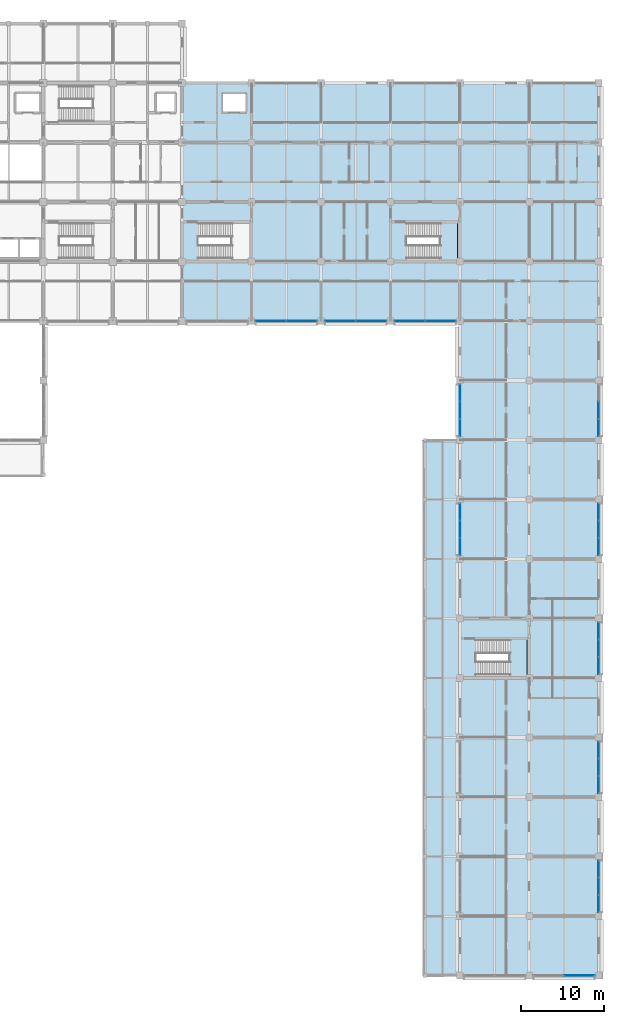
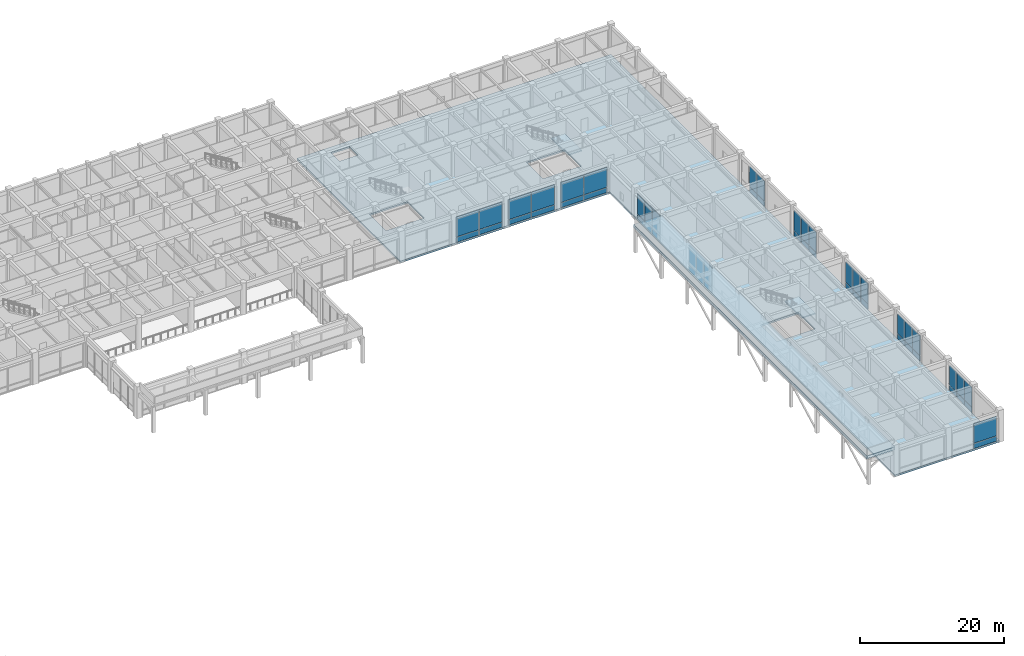
# One storey, part 32 of 68: 54 plates, 4 slabs, 13 elements without a shape of their own.
"""IFC4 building model written with IfcOpenShell, lengths in metres."""

from ifc_helpers import new_model, si_unit, direction, frame, origin, origin_2d, place, context, subcontext, project, spatial, polyline, rectangle, outline, extrude, material, layer, layer_set, type_object, element, aggregate, save


model = new_model("IFC4")

# Units and contexts
model_context = context("Model", 3, precision=1e-05, world=origin(), true_north=direction((0.0, 1.0)))
body_context = subcontext(model_context, "Body", "Model", "MODEL_VIEW")
ifc_project = project(units=[si_unit("LENGTHUNIT", "METRE"), si_unit("AREAUNIT", "SQUARE_METRE"), si_unit("VOLUMEUNIT", "CUBIC_METRE"), si_unit("PLANEANGLEUNIT", "RADIAN"), si_unit("MASSUNIT", "GRAM", prefix="KILO")], contexts=[model_context])

# Site, building, storey
site_placement = place(None, origin())
site = spatial("IfcSite", under=ifc_project, at=site_placement, CompositionType="ELEMENT")
building_placement = place(site_placement, origin())
building = spatial("IfcBuilding", under=site, at=building_placement, Name="Chengyuan Square Courthouse", CompositionType="ELEMENT")
storey_placement = place(building_placement, frame((0.0, 0.0, 5.39990234375)))
storey = spatial("IfcBuildingStorey", under=building, at=storey_placement, Name="L02", CompositionType="ELEMENT", Elevation=5.39990234375)

# Curtain wall, plates
ifc_material_1 = material(Name="Unitised Aluminium and Triple Low-E Glass", Category="aluminium")
ifc_layer_1 = layer(ifc_material_1, 0.219970703125)
ifc_layer_set_1 = layer_set([ifc_layer_1], Name="Unitised Aluminium and Triple Low-E Glass")
curtain_wall_type_1 = type_object("IfcCurtainWallType", Name="CW-04", PredefinedType="USERDEFINED", material=ifc_layer_set_1)
curtain_wall_1_placement = place(storey_placement, origin())
curtain_wall_1 = element("IfcCurtainWall", 1, at=curtain_wall_1_placement, inside=storey, type_object=curtain_wall_type_1, Name="Unitised Curtain Wall CW-L02-072", ObjectType="UNITISED CURTAIN WALL", PredefinedType="USERDEFINED")
ifc_material_2 = material(Name="Triple Low-E Insulating Glass", Category="glass")
ifc_layer_2 = layer(ifc_material_2, 0.052001953125)
ifc_layer_set_2 = layer_set([ifc_layer_2], Name="Triple Low-E Insulating Glass")
plate_type_1 = type_object("IfcPlateType", Name="CWP-04", PredefinedType="CURTAIN_PANEL", material=ifc_layer_set_2)
plate_1_placement = place(storey_placement, frame((128.33251953125, 79.199951171875, 0.080078125), z_axis=(0.0, 0.0, 1.0), x_axis=(1.0, 0.0, 0.0)))
plate_1 = element("IfcPlate", 2, at=plate_1_placement, type_object=plate_type_1, Name="CW-04 panel 1.1", PredefinedType="CURTAIN_PANEL", context=body_context, shape_type="SweptSolid", body=[
    extrude(rectangle(XDim=3.655029296875, YDim=0.052001953125, at=origin_2d()), origin(), (0.0, 0.0, 1.0), 0.830078125),
])
plate_2_placement = place(storey_placement, frame((128.33251953125, 79.199951171875, 0.990234375), z_axis=(0.0, 0.0, 1.0), x_axis=(1.0, 0.0, 0.0)))
plate_2 = element("IfcPlate", 3, at=plate_2_placement, type_object=plate_type_1, Name="CW-04 panel 1.2", PredefinedType="CURTAIN_PANEL", context=body_context, shape_type="SweptSolid", body=[
    extrude(rectangle(XDim=3.655029296875, YDim=0.052001953125, at=origin_2d()), origin(), (0.0, 0.0, 1.0), 3.39990234375),
])
plate_3_placement = place(storey_placement, frame((132.0673828125, 79.199951171875, 0.080078125), z_axis=(0.0, 0.0, 1.0), x_axis=(1.0, 0.0, 0.0)))
plate_3 = element("IfcPlate", 4, at=plate_3_placement, type_object=plate_type_1, Name="CW-04 panel 2.1", PredefinedType="CURTAIN_PANEL", context=body_context, shape_type="SweptSolid", body=[
    extrude(rectangle(XDim=3.655029296875, YDim=0.052001953125, at=origin_2d()), origin(), (0.0, 0.0, 1.0), 0.830078125),
])
plate_4_placement = place(storey_placement, frame((132.0673828125, 79.199951171875, 0.990234375), z_axis=(0.0, 0.0, 1.0), x_axis=(1.0, 0.0, 0.0)))
plate_4 = element("IfcPlate", 5, at=plate_4_placement, type_object=plate_type_1, Name="CW-04 panel 2.2", PredefinedType="CURTAIN_PANEL", context=body_context, shape_type="SweptSolid", body=[
    extrude(rectangle(XDim=3.655029296875, YDim=0.052001953125, at=origin_2d()), origin(), (0.0, 0.0, 1.0), 3.39990234375),
])
aggregate(curtain_wall_1, [plate_1, plate_2, plate_3, plate_4])

curtain_wall_2_placement = place(storey_placement, origin())
curtain_wall_2 = element("IfcCurtainWall", 6, at=curtain_wall_2_placement, inside=storey, type_object=curtain_wall_type_1, Name="Unitised Curtain Wall CW-L02-074", ObjectType="UNITISED CURTAIN WALL", PredefinedType="USERDEFINED")
plate_5_placement = place(storey_placement, frame((136.732421875, 79.199951171875, 0.080078125), z_axis=(0.0, 0.0, 1.0), x_axis=(1.0, 0.0, 0.0)))
plate_5 = element("IfcPlate", 7, at=plate_5_placement, type_object=plate_type_1, Name="CW-04 panel 1.1", PredefinedType="CURTAIN_PANEL", context=body_context, shape_type="SweptSolid", body=[
    extrude(rectangle(XDim=3.655029296875, YDim=0.052001953125, at=origin_2d()), origin(), (0.0, 0.0, 1.0), 0.830078125),
])
plate_6_placement = place(storey_placement, frame((136.732421875, 79.199951171875, 0.990234375), z_axis=(0.0, 0.0, 1.0), x_axis=(1.0, 0.0, 0.0)))
plate_6 = element("IfcPlate", 8, at=plate_6_placement, type_object=plate_type_1, Name="CW-04 panel 1.2", PredefinedType="CURTAIN_PANEL", context=body_context, shape_type="SweptSolid", body=[
    extrude(rectangle(XDim=3.655029296875, YDim=0.052001953125, at=origin_2d()), origin(), (0.0, 0.0, 1.0), 3.39990234375),
])
plate_7_placement = place(storey_placement, frame((140.467529296875, 79.199951171875, 0.080078125), z_axis=(0.0, 0.0, 1.0), x_axis=(1.0, 0.0, 0.0)))
plate_7 = element("IfcPlate", 9, at=plate_7_placement, type_object=plate_type_1, Name="CW-04 panel 2.1", PredefinedType="CURTAIN_PANEL", context=body_context, shape_type="SweptSolid", body=[
    extrude(rectangle(XDim=3.655029296875, YDim=0.052001953125, at=origin_2d()), origin(), (0.0, 0.0, 1.0), 0.830078125),
])
plate_8_placement = place(storey_placement, frame((140.467529296875, 79.199951171875, 0.990234375), z_axis=(0.0, 0.0, 1.0), x_axis=(1.0, 0.0, 0.0)))
plate_8 = element("IfcPlate", 10, at=plate_8_placement, type_object=plate_type_1, Name="CW-04 panel 2.2", PredefinedType="CURTAIN_PANEL", context=body_context, shape_type="SweptSolid", body=[
    extrude(rectangle(XDim=3.655029296875, YDim=0.052001953125, at=origin_2d()), origin(), (0.0, 0.0, 1.0), 3.39990234375),
])
aggregate(curtain_wall_2, [plate_5, plate_6, plate_7, plate_8])

curtain_wall_3_placement = place(storey_placement, origin())
curtain_wall_3 = element("IfcCurtainWall", 11, at=curtain_wall_3_placement, inside=storey, type_object=curtain_wall_type_1, Name="Unitised Curtain Wall CW-L02-075", ObjectType="UNITISED CURTAIN WALL", PredefinedType="USERDEFINED")
plate_9_placement = place(storey_placement, frame((145.132568359375, 79.199951171875, 0.080078125), z_axis=(0.0, 0.0, 1.0), x_axis=(1.0, 0.0, 0.0)))
plate_9 = element("IfcPlate", 12, at=plate_9_placement, type_object=plate_type_1, Name="CW-04 panel 1.1", PredefinedType="CURTAIN_PANEL", context=body_context, shape_type="SweptSolid", body=[
    extrude(rectangle(XDim=3.655029296875, YDim=0.052001953125, at=origin_2d()), origin(), (0.0, 0.0, 1.0), 0.830078125),
])
plate_10_placement = place(storey_placement, frame((145.132568359375, 79.199951171875, 0.990234375), z_axis=(0.0, 0.0, 1.0), x_axis=(1.0, 0.0, 0.0)))
plate_10 = element("IfcPlate", 13, at=plate_10_placement, type_object=plate_type_1, Name="CW-04 panel 1.2", PredefinedType="CURTAIN_PANEL", context=body_context, shape_type="SweptSolid", body=[
    extrude(rectangle(XDim=3.655029296875, YDim=0.052001953125, at=origin_2d()), origin(), (0.0, 0.0, 1.0), 3.39990234375),
])
plate_11_placement = place(storey_placement, frame((148.867431640625, 79.199951171875, 0.080078125), z_axis=(0.0, 0.0, 1.0), x_axis=(1.0, 0.0, 0.0)))
plate_11 = element("IfcPlate", 14, at=plate_11_placement, type_object=plate_type_1, Name="CW-04 panel 2.1", PredefinedType="CURTAIN_PANEL", context=body_context, shape_type="SweptSolid", body=[
    extrude(rectangle(XDim=3.655029296875, YDim=0.052001953125, at=origin_2d()), origin(), (0.0, 0.0, 1.0), 0.830078125),
])
plate_12_placement = place(storey_placement, frame((148.867431640625, 79.199951171875, 0.990234375), z_axis=(0.0, 0.0, 1.0), x_axis=(1.0, 0.0, 0.0)))
plate_12 = element("IfcPlate", 15, at=plate_12_placement, type_object=plate_type_1, Name="CW-04 panel 2.2", PredefinedType="CURTAIN_PANEL", context=body_context, shape_type="SweptSolid", body=[
    extrude(rectangle(XDim=3.655029296875, YDim=0.052001953125, at=origin_2d()), origin(), (0.0, 0.0, 1.0), 3.39990234375),
])
aggregate(curtain_wall_3, [plate_9, plate_10, plate_11, plate_12])

curtain_wall_4_placement = place(storey_placement, origin())
curtain_wall_4 = element("IfcCurtainWall", 16, at=curtain_wall_4_placement, inside=storey, type_object=curtain_wall_type_1, Name="Unitised Curtain Wall CW-L02-082", ObjectType="UNITISED CURTAIN WALL", PredefinedType="USERDEFINED")
plate_13_placement = place(storey_placement, frame((165.66748046875, 0.0, 0.080078125), z_axis=(0.0, 0.0, 1.0), x_axis=(1.0, 0.0, 0.0)))
plate_13 = element("IfcPlate", 17, at=plate_13_placement, type_object=plate_type_1, Name="CW-04 panel 2.1", PredefinedType="CURTAIN_PANEL", context=body_context, shape_type="SweptSolid", body=[
    extrude(rectangle(XDim=3.655029296875, YDim=0.052001953125, at=origin_2d()), origin(), (0.0, 0.0, 1.0), 0.830078125),
])
plate_14_placement = place(storey_placement, frame((165.66748046875, 0.0, 0.989990234375), z_axis=(0.0, 0.0, 1.0), x_axis=(1.0, 0.0, 0.0)))
plate_14 = element("IfcPlate", 18, at=plate_14_placement, type_object=plate_type_1, Name="CW-04 panel 2.2", PredefinedType="CURTAIN_PANEL", context=body_context, shape_type="SweptSolid", body=[
    extrude(rectangle(XDim=3.655029296875, YDim=0.052001953125, at=origin_2d()), origin(), (0.0, 0.0, 1.0), 3.330078125),
])
aggregate(curtain_wall_4, [plate_13, plate_14])

ifc_layer_3 = layer(ifc_material_1, 0.159912109375)
ifc_layer_set_3 = layer_set([ifc_layer_3], Name="Unitised Aluminium and Triple Low-E Glass")
curtain_wall_type_2 = type_object("IfcCurtainWallType", Name="CW-17", PredefinedType="USERDEFINED", material=ifc_layer_set_3)
curtain_wall_5_placement = place(storey_placement, origin())
curtain_wall_5 = element("IfcCurtainWall", 19, at=curtain_wall_5_placement, inside=storey, type_object=curtain_wall_type_2, Name="Unitised Curtain Wall CW-L02-080", ObjectType="UNITISED CURTAIN WALL", PredefinedType="USERDEFINED")
ifc_layer_4 = layer(ifc_material_2, 0.06201171875)
ifc_layer_set_4 = layer_set([ifc_layer_4], Name="Triple Low-E Insulating Glass")
plate_type_2 = type_object("IfcPlateType", Name="CWP-05", PredefinedType="CURTAIN_PANEL", material=ifc_layer_set_4)
plate_15_placement = place(storey_placement, frame((151.199951171875, 51.8984375, 0.06005859375), z_axis=(0.0, 0.0, 1.0), x_axis=(0.0, 1.0, 0.0)))
plate_15 = element("IfcPlate", 20, at=plate_15_placement, type_object=plate_type_2, Name="CW-17 panel 1.1", PredefinedType="CURTAIN_PANEL", context=body_context, shape_type="SweptSolid", body=[
    extrude(rectangle(XDim=2.026611328125, YDim=0.06201171875, at=origin_2d()), origin(), (0.0, 0.0, 1.0), 0.860107421875),
])
plate_16_placement = place(storey_placement, frame((151.199951171875, 51.8984375, 0.97998046875), z_axis=(0.0, 0.0, 1.0), x_axis=(0.0, 1.0, 0.0)))
plate_16 = element("IfcPlate", 21, at=plate_16_placement, type_object=plate_type_2, Name="CW-17 panel 1.2", PredefinedType="CURTAIN_PANEL", context=body_context, shape_type="SweptSolid", body=[
    extrude(rectangle(XDim=2.026611328125, YDim=0.06201171875, at=origin_2d()), origin(), (0.0, 0.0, 1.0), 3.429931640625),
])
plate_17_placement = place(storey_placement, frame((151.199951171875, 54.0, 0.06005859375), z_axis=(0.0, 0.0, 1.0), x_axis=(0.0, 1.0, 0.0)))
plate_17 = element("IfcPlate", 22, at=plate_17_placement, type_object=plate_type_2, Name="CW-17 panel 2.1", PredefinedType="CURTAIN_PANEL", context=body_context, shape_type="SweptSolid", body=[
    extrude(rectangle(XDim=2.056640625, YDim=0.06201171875, at=origin_2d()), origin(), (0.0, 0.0, 1.0), 0.860107421875),
])
plate_18_placement = place(storey_placement, frame((151.199951171875, 54.0, 0.97998046875), z_axis=(0.0, 0.0, 1.0), x_axis=(0.0, 1.0, 0.0)))
plate_18 = element("IfcPlate", 23, at=plate_18_placement, type_object=plate_type_2, Name="CW-17 panel 2.2", PredefinedType="CURTAIN_PANEL", context=body_context, shape_type="SweptSolid", body=[
    extrude(rectangle(XDim=2.056640625, YDim=0.06201171875, at=origin_2d()), origin(), (0.0, 0.0, 1.0), 3.429931640625),
])
plate_19_placement = place(storey_placement, frame((151.199951171875, 56.1015625, 0.06005859375), z_axis=(0.0, 0.0, 1.0), x_axis=(0.0, 1.0, 0.0)))
plate_19 = element("IfcPlate", 24, at=plate_19_placement, type_object=plate_type_2, Name="CW-17 panel 3.1", PredefinedType="CURTAIN_PANEL", context=body_context, shape_type="SweptSolid", body=[
    extrude(rectangle(XDim=2.026611328125, YDim=0.06201171875, at=origin_2d()), origin(), (0.0, 0.0, 1.0), 0.860107421875),
])
plate_20_placement = place(storey_placement, frame((151.199951171875, 56.1015625, 0.97998046875), z_axis=(0.0, 0.0, 1.0), x_axis=(0.0, 1.0, 0.0)))
plate_20 = element("IfcPlate", 25, at=plate_20_placement, type_object=plate_type_2, Name="CW-17 panel 3.2", PredefinedType="CURTAIN_PANEL", context=body_context, shape_type="SweptSolid", body=[
    extrude(rectangle(XDim=2.026611328125, YDim=0.06201171875, at=origin_2d()), origin(), (0.0, 0.0, 1.0), 3.429931640625),
])
aggregate(curtain_wall_5, [plate_15, plate_16, plate_17, plate_18, plate_19, plate_20])

curtain_wall_6_placement = place(storey_placement, origin())
curtain_wall_6 = element("IfcCurtainWall", 26, at=curtain_wall_6_placement, inside=storey, type_object=curtain_wall_type_2, Name="Unitised Curtain Wall CW-L02-081", ObjectType="UNITISED CURTAIN WALL", PredefinedType="USERDEFINED")
plate_21_placement = place(storey_placement, frame((151.199951171875, 66.29833984375, 0.06005859375), z_axis=(0.0, 0.0, 1.0), x_axis=(0.0, 1.0, 0.0)))
plate_21 = element("IfcPlate", 27, at=plate_21_placement, type_object=plate_type_2, Name="CW-17 panel 1.1", PredefinedType="CURTAIN_PANEL", context=body_context, shape_type="SweptSolid", body=[
    extrude(rectangle(XDim=2.026611328125, YDim=0.06201171875, at=origin_2d()), origin(), (0.0, 0.0, 1.0), 0.860107421875),
])
plate_22_placement = place(storey_placement, frame((151.199951171875, 66.29833984375, 0.97998046875), z_axis=(0.0, 0.0, 1.0), x_axis=(0.0, 1.0, 0.0)))
plate_22 = element("IfcPlate", 28, at=plate_22_placement, type_object=plate_type_2, Name="CW-17 panel 1.2", PredefinedType="CURTAIN_PANEL", context=body_context, shape_type="SweptSolid", body=[
    extrude(rectangle(XDim=2.026611328125, YDim=0.06201171875, at=origin_2d()), origin(), (0.0, 0.0, 1.0), 3.429931640625),
])
plate_23_placement = place(storey_placement, frame((151.199951171875, 68.39990234375, 0.06005859375), z_axis=(0.0, 0.0, 1.0), x_axis=(0.0, 1.0, 0.0)))
plate_23 = element("IfcPlate", 29, at=plate_23_placement, type_object=plate_type_2, Name="CW-17 panel 2.1", PredefinedType="CURTAIN_PANEL", context=body_context, shape_type="SweptSolid", body=[
    extrude(rectangle(XDim=2.056640625, YDim=0.06201171875, at=origin_2d()), origin(), (0.0, 0.0, 1.0), 0.860107421875),
])
plate_24_placement = place(storey_placement, frame((151.199951171875, 68.39990234375, 0.97998046875), z_axis=(0.0, 0.0, 1.0), x_axis=(0.0, 1.0, 0.0)))
plate_24 = element("IfcPlate", 30, at=plate_24_placement, type_object=plate_type_2, Name="CW-17 panel 2.2", PredefinedType="CURTAIN_PANEL", context=body_context, shape_type="SweptSolid", body=[
    extrude(rectangle(XDim=2.056640625, YDim=0.06201171875, at=origin_2d()), origin(), (0.0, 0.0, 1.0), 3.429931640625),
])
plate_25_placement = place(storey_placement, frame((151.199951171875, 70.501708984375, 0.06005859375), z_axis=(0.0, 0.0, 1.0), x_axis=(0.0, 1.0, 0.0)))
plate_25 = element("IfcPlate", 31, at=plate_25_placement, type_object=plate_type_2, Name="CW-17 panel 3.1", PredefinedType="CURTAIN_PANEL", context=body_context, shape_type="SweptSolid", body=[
    extrude(rectangle(XDim=2.026611328125, YDim=0.06201171875, at=origin_2d()), origin(), (0.0, 0.0, 1.0), 0.860107421875),
])
plate_26_placement = place(storey_placement, frame((151.199951171875, 70.501708984375, 0.97998046875), z_axis=(0.0, 0.0, 1.0), x_axis=(0.0, 1.0, 0.0)))
plate_26 = element("IfcPlate", 32, at=plate_26_placement, type_object=plate_type_2, Name="CW-17 panel 3.2", PredefinedType="CURTAIN_PANEL", context=body_context, shape_type="SweptSolid", body=[
    extrude(rectangle(XDim=2.026611328125, YDim=0.06201171875, at=origin_2d()), origin(), (0.0, 0.0, 1.0), 3.429931640625),
])
aggregate(curtain_wall_6, [plate_21, plate_22, plate_23, plate_24, plate_25, plate_26])

curtain_wall_7_placement = place(storey_placement, origin())
curtain_wall_7 = element("IfcCurtainWall", 33, at=curtain_wall_7_placement, inside=storey, type_object=curtain_wall_type_2, Name="Unitised Curtain Wall CW-L02-083", ObjectType="UNITISED CURTAIN WALL", PredefinedType="USERDEFINED")
plate_27_placement = place(storey_placement, frame((168.0, 8.6982421875, 0.06005859375), z_axis=(0.0, 0.0, 1.0), x_axis=(0.0, 1.0, 0.0)))
plate_27 = element("IfcPlate", 34, at=plate_27_placement, type_object=plate_type_2, Name="CW-17 panel 1.1", PredefinedType="CURTAIN_PANEL", context=body_context, shape_type="SweptSolid", body=[
    extrude(rectangle(XDim=2.026611328125, YDim=0.06201171875, at=origin_2d()), origin(), (0.0, 0.0, 1.0), 0.860107421875),
])
plate_28_placement = place(storey_placement, frame((168.0, 8.6982421875, 0.97998046875), z_axis=(0.0, 0.0, 1.0), x_axis=(0.0, 1.0, 0.0)))
plate_28 = element("IfcPlate", 35, at=plate_28_placement, type_object=plate_type_2, Name="CW-17 panel 1.2", PredefinedType="CURTAIN_PANEL", context=body_context, shape_type="SweptSolid", body=[
    extrude(rectangle(XDim=2.026611328125, YDim=0.06201171875, at=origin_2d()), origin(), (0.0, 0.0, 1.0), 3.360107421875),
])
plate_29_placement = place(storey_placement, frame((168.0, 10.800048828125, 0.06005859375), z_axis=(0.0, 0.0, 1.0), x_axis=(0.0, 1.0, 0.0)))
plate_29 = element("IfcPlate", 36, at=plate_29_placement, type_object=plate_type_2, Name="CW-17 panel 2.1", PredefinedType="CURTAIN_PANEL", context=body_context, shape_type="SweptSolid", body=[
    extrude(rectangle(XDim=2.056640625, YDim=0.06201171875, at=origin_2d()), origin(), (0.0, 0.0, 1.0), 0.860107421875),
])
plate_30_placement = place(storey_placement, frame((168.0, 10.800048828125, 0.97998046875), z_axis=(0.0, 0.0, 1.0), x_axis=(0.0, 1.0, 0.0)))
plate_30 = element("IfcPlate", 37, at=plate_30_placement, type_object=plate_type_2, Name="CW-17 panel 2.2", PredefinedType="CURTAIN_PANEL", context=body_context, shape_type="SweptSolid", body=[
    extrude(rectangle(XDim=2.056640625, YDim=0.06201171875, at=origin_2d()), origin(), (0.0, 0.0, 1.0), 3.360107421875),
])
plate_31_placement = place(storey_placement, frame((168.0, 12.901611328125, 0.06005859375), z_axis=(0.0, 0.0, 1.0), x_axis=(0.0, 1.0, 0.0)))
plate_31 = element("IfcPlate", 38, at=plate_31_placement, type_object=plate_type_2, Name="CW-17 panel 3.1", PredefinedType="CURTAIN_PANEL", context=body_context, shape_type="SweptSolid", body=[
    extrude(rectangle(XDim=2.026611328125, YDim=0.06201171875, at=origin_2d()), origin(), (0.0, 0.0, 1.0), 0.860107421875),
])
plate_32_placement = place(storey_placement, frame((168.0, 12.901611328125, 0.97998046875), z_axis=(0.0, 0.0, 1.0), x_axis=(0.0, 1.0, 0.0)))
plate_32 = element("IfcPlate", 39, at=plate_32_placement, type_object=plate_type_2, Name="CW-17 panel 3.2", PredefinedType="CURTAIN_PANEL", context=body_context, shape_type="SweptSolid", body=[
    extrude(rectangle(XDim=2.026611328125, YDim=0.06201171875, at=origin_2d()), origin(), (0.0, 0.0, 1.0), 3.360107421875),
])
aggregate(curtain_wall_7, [plate_27, plate_28, plate_29, plate_30, plate_31, plate_32])

curtain_wall_8_placement = place(storey_placement, origin())
curtain_wall_8 = element("IfcCurtainWall", 40, at=curtain_wall_8_placement, inside=storey, type_object=curtain_wall_type_2, Name="Unitised Curtain Wall CW-L02-084", ObjectType="UNITISED CURTAIN WALL", PredefinedType="USERDEFINED")
plate_33_placement = place(storey_placement, frame((168.0, 23.098388671875, 0.06005859375), z_axis=(0.0, 0.0, 1.0), x_axis=(0.0, 1.0, 0.0)))
plate_33 = element("IfcPlate", 41, at=plate_33_placement, type_object=plate_type_2, Name="CW-17 panel 1.1", PredefinedType="CURTAIN_PANEL", context=body_context, shape_type="SweptSolid", body=[
    extrude(rectangle(XDim=2.026611328125, YDim=0.06201171875, at=origin_2d()), origin(), (0.0, 0.0, 1.0), 0.860107421875),
])
plate_34_placement = place(storey_placement, frame((168.0, 23.098388671875, 0.97998046875), z_axis=(0.0, 0.0, 1.0), x_axis=(0.0, 1.0, 0.0)))
plate_34 = element("IfcPlate", 42, at=plate_34_placement, type_object=plate_type_2, Name="CW-17 panel 1.2", PredefinedType="CURTAIN_PANEL", context=body_context, shape_type="SweptSolid", body=[
    extrude(rectangle(XDim=2.026611328125, YDim=0.06201171875, at=origin_2d()), origin(), (0.0, 0.0, 1.0), 3.360107421875),
])
plate_35_placement = place(storey_placement, frame((168.0, 25.199951171875, 0.06005859375), z_axis=(0.0, 0.0, 1.0), x_axis=(0.0, 1.0, 0.0)))
plate_35 = element("IfcPlate", 43, at=plate_35_placement, type_object=plate_type_2, Name="CW-17 panel 2.1", PredefinedType="CURTAIN_PANEL", context=body_context, shape_type="SweptSolid", body=[
    extrude(rectangle(XDim=2.056640625, YDim=0.06201171875, at=origin_2d()), origin(), (0.0, 0.0, 1.0), 0.860107421875),
])
plate_36_placement = place(storey_placement, frame((168.0, 25.199951171875, 0.97998046875), z_axis=(0.0, 0.0, 1.0), x_axis=(0.0, 1.0, 0.0)))
plate_36 = element("IfcPlate", 44, at=plate_36_placement, type_object=plate_type_2, Name="CW-17 panel 2.2", PredefinedType="CURTAIN_PANEL", context=body_context, shape_type="SweptSolid", body=[
    extrude(rectangle(XDim=2.056640625, YDim=0.06201171875, at=origin_2d()), origin(), (0.0, 0.0, 1.0), 3.360107421875),
])
plate_37_placement = place(storey_placement, frame((168.0, 27.3017578125, 0.06005859375), z_axis=(0.0, 0.0, 1.0), x_axis=(0.0, 1.0, 0.0)))
plate_37 = element("IfcPlate", 45, at=plate_37_placement, type_object=plate_type_2, Name="CW-17 panel 3.1", PredefinedType="CURTAIN_PANEL", context=body_context, shape_type="SweptSolid", body=[
    extrude(rectangle(XDim=2.026611328125, YDim=0.06201171875, at=origin_2d()), origin(), (0.0, 0.0, 1.0), 0.860107421875),
])
plate_38_placement = place(storey_placement, frame((168.0, 27.3017578125, 0.97998046875), z_axis=(0.0, 0.0, 1.0), x_axis=(0.0, 1.0, 0.0)))
plate_38 = element("IfcPlate", 46, at=plate_38_placement, type_object=plate_type_2, Name="CW-17 panel 3.2", PredefinedType="CURTAIN_PANEL", context=body_context, shape_type="SweptSolid", body=[
    extrude(rectangle(XDim=2.026611328125, YDim=0.06201171875, at=origin_2d()), origin(), (0.0, 0.0, 1.0), 3.360107421875),
])
aggregate(curtain_wall_8, [plate_33, plate_34, plate_35, plate_36, plate_37, plate_38])

curtain_wall_9_placement = place(storey_placement, origin())
curtain_wall_9 = element("IfcCurtainWall", 47, at=curtain_wall_9_placement, inside=storey, type_object=curtain_wall_type_2, Name="Unitised Curtain Wall CW-L02-085", ObjectType="UNITISED CURTAIN WALL", PredefinedType="USERDEFINED")
plate_39_placement = place(storey_placement, frame((168.0, 37.498291015625, 0.06005859375), z_axis=(0.0, 0.0, 1.0), x_axis=(0.0, 1.0, 0.0)))
plate_39 = element("IfcPlate", 48, at=plate_39_placement, type_object=plate_type_2, Name="CW-17 panel 1.1", PredefinedType="CURTAIN_PANEL", context=body_context, shape_type="SweptSolid", body=[
    extrude(rectangle(XDim=2.026611328125, YDim=0.06201171875, at=origin_2d()), origin(), (0.0, 0.0, 1.0), 0.860107421875),
])
plate_40_placement = place(storey_placement, frame((168.0, 37.498291015625, 0.97998046875), z_axis=(0.0, 0.0, 1.0), x_axis=(0.0, 1.0, 0.0)))
plate_40 = element("IfcPlate", 49, at=plate_40_placement, type_object=plate_type_2, Name="CW-17 panel 1.2", PredefinedType="CURTAIN_PANEL", context=body_context, shape_type="SweptSolid", body=[
    extrude(rectangle(XDim=2.026611328125, YDim=0.06201171875, at=origin_2d()), origin(), (0.0, 0.0, 1.0), 3.429931640625),
])
plate_41_placement = place(storey_placement, frame((168.0, 39.60009765625, 0.06005859375), z_axis=(0.0, 0.0, 1.0), x_axis=(0.0, 1.0, 0.0)))
plate_41 = element("IfcPlate", 50, at=plate_41_placement, type_object=plate_type_2, Name="CW-17 panel 2.1", PredefinedType="CURTAIN_PANEL", context=body_context, shape_type="SweptSolid", body=[
    extrude(rectangle(XDim=2.056640625, YDim=0.06201171875, at=origin_2d()), origin(), (0.0, 0.0, 1.0), 0.860107421875),
])
plate_42_placement = place(storey_placement, frame((168.0, 39.60009765625, 0.97998046875), z_axis=(0.0, 0.0, 1.0), x_axis=(0.0, 1.0, 0.0)))
plate_42 = element("IfcPlate", 51, at=plate_42_placement, type_object=plate_type_2, Name="CW-17 panel 2.2", PredefinedType="CURTAIN_PANEL", context=body_context, shape_type="SweptSolid", body=[
    extrude(rectangle(XDim=2.056640625, YDim=0.06201171875, at=origin_2d()), origin(), (0.0, 0.0, 1.0), 3.429931640625),
])
plate_43_placement = place(storey_placement, frame((168.0, 41.70166015625, 0.06005859375), z_axis=(0.0, 0.0, 1.0), x_axis=(0.0, 1.0, 0.0)))
plate_43 = element("IfcPlate", 52, at=plate_43_placement, type_object=plate_type_2, Name="CW-17 panel 3.1", PredefinedType="CURTAIN_PANEL", context=body_context, shape_type="SweptSolid", body=[
    extrude(rectangle(XDim=2.026611328125, YDim=0.06201171875, at=origin_2d()), origin(), (0.0, 0.0, 1.0), 0.860107421875),
])
plate_44_placement = place(storey_placement, frame((168.0, 41.70166015625, 0.97998046875), z_axis=(0.0, 0.0, 1.0), x_axis=(0.0, 1.0, 0.0)))
plate_44 = element("IfcPlate", 53, at=plate_44_placement, type_object=plate_type_2, Name="CW-17 panel 3.2", PredefinedType="CURTAIN_PANEL", context=body_context, shape_type="SweptSolid", body=[
    extrude(rectangle(XDim=2.026611328125, YDim=0.06201171875, at=origin_2d()), origin(), (0.0, 0.0, 1.0), 3.429931640625),
])
aggregate(curtain_wall_9, [plate_39, plate_40, plate_41, plate_42, plate_43, plate_44])

curtain_wall_10_placement = place(storey_placement, origin())
curtain_wall_10 = element("IfcCurtainWall", 54, at=curtain_wall_10_placement, inside=storey, type_object=curtain_wall_type_2, Name="Unitised Curtain Wall CW-L02-086", ObjectType="UNITISED CURTAIN WALL", PredefinedType="USERDEFINED")
plate_45_placement = place(storey_placement, frame((168.0, 51.8984375, 0.06005859375), z_axis=(0.0, 0.0, 1.0), x_axis=(0.0, 1.0, 0.0)))
plate_45 = element("IfcPlate", 55, at=plate_45_placement, type_object=plate_type_2, Name="CW-17 panel 1.1", PredefinedType="CURTAIN_PANEL", context=body_context, shape_type="SweptSolid", body=[
    extrude(rectangle(XDim=2.026611328125, YDim=0.06201171875, at=origin_2d()), origin(), (0.0, 0.0, 1.0), 0.860107421875),
])
plate_46_placement = place(storey_placement, frame((168.0, 51.8984375, 0.97998046875), z_axis=(0.0, 0.0, 1.0), x_axis=(0.0, 1.0, 0.0)))
plate_46 = element("IfcPlate", 56, at=plate_46_placement, type_object=plate_type_2, Name="CW-17 panel 1.2", PredefinedType="CURTAIN_PANEL", context=body_context, shape_type="SweptSolid", body=[
    extrude(rectangle(XDim=2.026611328125, YDim=0.06201171875, at=origin_2d()), origin(), (0.0, 0.0, 1.0), 3.429931640625),
])
plate_47_placement = place(storey_placement, frame((168.0, 54.0, 0.06005859375), z_axis=(0.0, 0.0, 1.0), x_axis=(0.0, 1.0, 0.0)))
plate_47 = element("IfcPlate", 57, at=plate_47_placement, type_object=plate_type_2, Name="CW-17 panel 2.1", PredefinedType="CURTAIN_PANEL", context=body_context, shape_type="SweptSolid", body=[
    extrude(rectangle(XDim=2.056640625, YDim=0.06201171875, at=origin_2d()), origin(), (0.0, 0.0, 1.0), 0.860107421875),
])
plate_48_placement = place(storey_placement, frame((168.0, 54.0, 0.97998046875), z_axis=(0.0, 0.0, 1.0), x_axis=(0.0, 1.0, 0.0)))
plate_48 = element("IfcPlate", 58, at=plate_48_placement, type_object=plate_type_2, Name="CW-17 panel 2.2", PredefinedType="CURTAIN_PANEL", context=body_context, shape_type="SweptSolid", body=[
    extrude(rectangle(XDim=2.056640625, YDim=0.06201171875, at=origin_2d()), origin(), (0.0, 0.0, 1.0), 3.429931640625),
])
plate_49_placement = place(storey_placement, frame((168.0, 56.1015625, 0.06005859375), z_axis=(0.0, 0.0, 1.0), x_axis=(0.0, 1.0, 0.0)))
plate_49 = element("IfcPlate", 59, at=plate_49_placement, type_object=plate_type_2, Name="CW-17 panel 3.1", PredefinedType="CURTAIN_PANEL", context=body_context, shape_type="SweptSolid", body=[
    extrude(rectangle(XDim=2.026611328125, YDim=0.06201171875, at=origin_2d()), origin(), (0.0, 0.0, 1.0), 0.860107421875),
])
plate_50_placement = place(storey_placement, frame((168.0, 56.1015625, 0.97998046875), z_axis=(0.0, 0.0, 1.0), x_axis=(0.0, 1.0, 0.0)))
plate_50 = element("IfcPlate", 60, at=plate_50_placement, type_object=plate_type_2, Name="CW-17 panel 3.2", PredefinedType="CURTAIN_PANEL", context=body_context, shape_type="SweptSolid", body=[
    extrude(rectangle(XDim=2.026611328125, YDim=0.06201171875, at=origin_2d()), origin(), (0.0, 0.0, 1.0), 3.429931640625),
])
aggregate(curtain_wall_10, [plate_45, plate_46, plate_47, plate_48, plate_49, plate_50])

curtain_wall_11_placement = place(storey_placement, origin())
curtain_wall_11 = element("IfcCurtainWall", 61, at=curtain_wall_11_placement, inside=storey, type_object=curtain_wall_type_2, Name="Unitised Curtain Wall CW-L02-087", ObjectType="UNITISED CURTAIN WALL", PredefinedType="USERDEFINED")
plate_51_placement = place(storey_placement, frame((168.0, 66.29833984375, 0.06005859375), z_axis=(0.0, 0.0, 1.0), x_axis=(0.0, 1.0, 0.0)))
plate_51 = element("IfcPlate", 62, at=plate_51_placement, type_object=plate_type_2, Name="CW-17 panel 1.1", PredefinedType="CURTAIN_PANEL", context=body_context, shape_type="SweptSolid", body=[
    extrude(rectangle(XDim=2.026611328125, YDim=0.06201171875, at=origin_2d()), origin(), (0.0, 0.0, 1.0), 0.860107421875),
])
plate_52_placement = place(storey_placement, frame((168.0, 66.29833984375, 0.97998046875), z_axis=(0.0, 0.0, 1.0), x_axis=(0.0, 1.0, 0.0)))
plate_52 = element("IfcPlate", 63, at=plate_52_placement, type_object=plate_type_2, Name="CW-17 panel 1.2", PredefinedType="CURTAIN_PANEL", context=body_context, shape_type="SweptSolid", body=[
    extrude(rectangle(XDim=2.026611328125, YDim=0.06201171875, at=origin_2d()), origin(), (0.0, 0.0, 1.0), 3.429931640625),
])
plate_53_placement = place(storey_placement, frame((168.0, 68.39990234375, 0.06005859375), z_axis=(0.0, 0.0, 1.0), x_axis=(0.0, 1.0, 0.0)))
plate_53 = element("IfcPlate", 64, at=plate_53_placement, type_object=plate_type_2, Name="CW-17 panel 2.1", PredefinedType="CURTAIN_PANEL", context=body_context, shape_type="SweptSolid", body=[
    extrude(rectangle(XDim=2.056640625, YDim=0.06201171875, at=origin_2d()), origin(), (0.0, 0.0, 1.0), 0.860107421875),
])
plate_54_placement = place(storey_placement, frame((168.0, 68.39990234375, 0.97998046875), z_axis=(0.0, 0.0, 1.0), x_axis=(0.0, 1.0, 0.0)))
plate_54 = element("IfcPlate", 65, at=plate_54_placement, type_object=plate_type_2, Name="CW-17 panel 2.2", PredefinedType="CURTAIN_PANEL", context=body_context, shape_type="SweptSolid", body=[
    extrude(rectangle(XDim=2.056640625, YDim=0.06201171875, at=origin_2d()), origin(), (0.0, 0.0, 1.0), 3.429931640625),
])
aggregate(curtain_wall_11, [plate_51, plate_52, plate_53, plate_54])

# Slab
ifc_material_3 = material(Name="Concrete C40", Category="concrete")
ifc_layer_5 = layer(ifc_material_3, 0.5)
ifc_layer_set_5 = layer_set([ifc_layer_5], Name="Concrete C40")
slab_type_1 = type_object("IfcSlabType", Name="SL-COL", PredefinedType="ROOF", material=ifc_layer_set_5)
slab_1_placement = place(storey_placement, frame((0.0, 0.0, 4.300048828125)))
element("IfcSlab", 66, at=slab_1_placement, inside=storey, type_object=slab_type_1, Name="Civic Colonnade Canopy Slab SL-COL-E", PredefinedType="ROOF", context=body_context, shape_type="SweptSolid", body=[
    extrude(outline(polyline([(146.699951171875, 0.0), (151.199951171875, 0.0), (151.199951171875, 64.800048828125), (146.699951171875, 64.800048828125), (146.699951171875, 0.0)])), origin(), (0.0, 0.0, 1.0), 0.5),
])

# Stair, slab
stair_type_1 = type_object("IfcStairType", Name="ST-TYPE-08", PredefinedType="HALF_TURN_STAIR", material=ifc_material_3)
stair_1_placement = place(storey_placement, origin())
stair_1 = element("IfcStair", 67, at=stair_1_placement, inside=storey, type_object=stair_type_1, Name="Smoke-Proof Exit Stair ST-8 (L02 to L03)", PredefinedType="HALF_TURN_STAIR")
ifc_layer_6 = layer(ifc_material_3, 0.18994140625)
ifc_layer_set_6 = layer_set([ifc_layer_6], Name="Concrete C40")
slab_type_2 = type_object("IfcSlabType", Name="SL-LND1", PredefinedType="LANDING", material=ifc_layer_set_6)
slab_2_placement = place(storey_placement, frame((0.0, 0.0, 2.510009765625)))
slab_2 = element("IfcSlab", 68, at=slab_2_placement, type_object=slab_type_2, Name="ST-8 landing 1", PredefinedType="LANDING", context=body_context, shape_type="SweptSolid", body=[
    extrude(outline(polyline([(157.1298828125, 36.159912109375), (159.340087890625, 36.159912109375), (159.340087890625, 40.840087890625), (157.1298828125, 40.840087890625), (157.1298828125, 36.159912109375)])), origin(), (0.0, 0.0, 1.0), 0.190185546875),
])
aggregate(stair_1, [slab_2])

stair_type_2 = type_object("IfcStairType", Name="ST-TYPE-10", PredefinedType="HALF_TURN_STAIR", material=ifc_material_3)
stair_2_placement = place(storey_placement, origin())
stair_2 = element("IfcStair", 69, at=stair_2_placement, inside=storey, type_object=stair_type_2, Name="Smoke-Proof Exit Stair ST-10 (L02 to L03)", PredefinedType="HALF_TURN_STAIR")
slab_3_placement = place(storey_placement, frame((0.0, 0.0, 2.510009765625)))
slab_3 = element("IfcSlab", 70, at=slab_3_placement, type_object=slab_type_2, Name="ST-10 landing 1", PredefinedType="LANDING", context=body_context, shape_type="SweptSolid", body=[
    extrude(outline(polyline([(148.72998046875, 86.56005859375), (150.93994140625, 86.56005859375), (150.93994140625, 91.239990234375), (148.72998046875, 91.239990234375), (148.72998046875, 86.56005859375)])), origin(), (0.0, 0.0, 1.0), 0.190185546875),
])
aggregate(stair_2, [slab_3])

# Slab
ifc_material_4 = material(Name="Post-tensioned Concrete C50", Category="concrete")
ifc_layer_7 = layer(ifc_material_4, 0.280029296875)
ifc_layer_set_7 = layer_set([ifc_layer_7], Name="Post-tensioned Concrete C50")
slab_type_3 = type_object("IfcSlabType", Name="SL-PT28", PredefinedType="FLOOR", material=ifc_layer_set_7)
slab_4_placement = place(storey_placement, frame((0.0, 0.0, -0.27978515625)))
element("IfcSlab", 71, at=slab_4_placement, inside=storey, type_object=slab_type_3, Name="Suspended Floor Slab SL-L02-04", PredefinedType="FLOOR", context=body_context, shape_type="SweptSolid", body=[
    extrude(outline(polyline([(126.0, 108.0), (134.39990234375, 108.0), (142.800048828125, 108.0), (151.199951171875, 108.0), (159.60009765625, 108.0), (168.0, 108.0), (168.0, 100.800048828125), (168.0, 93.60009765625), (168.0, 86.39990234375), (168.0, 79.199951171875), (168.0, 72.0), (168.0, 64.800048828125), (168.0, 57.60009765625), (168.0, 50.39990234375), (168.0, 43.199951171875), (168.0, 36.0), (168.0, 28.800048828125), (168.0, 21.60009765625), (168.0, 14.39990234375), (168.0, 7.199951171875), (168.0, 0.0), (159.60009765625, 0.0), (151.199951171875, 0.0), (151.199951171875, 7.199951171875), (151.199951171875, 14.39990234375), (151.199951171875, 21.60009765625), (151.199951171875, 28.800048828125), (151.199951171875, 36.0), (151.199951171875, 43.199951171875), (151.199951171875, 50.39990234375), (151.199951171875, 57.60009765625), (151.199951171875, 64.800048828125), (151.199951171875, 72.0), (151.199951171875, 79.199951171875), (142.800048828125, 79.199951171875), (134.39990234375, 79.199951171875), (126.0, 79.199951171875), (117.60009765625, 79.199951171875), (117.60009765625, 108.0), (126.0, 108.0)]), holes=[polyline([(153.14990234375, 40.800048828125), (153.14990234375, 36.199951171875), (159.300048828125, 36.199951171875), (159.300048828125, 40.800048828125), (153.14990234375, 40.800048828125)]), polyline([(125.699951171875, 91.199951171875), (119.550048828125, 91.199951171875), (119.550048828125, 86.60009765625), (125.699951171875, 86.60009765625), (125.699951171875, 91.199951171875)]), polyline([(144.75, 91.199951171875), (144.75, 86.60009765625), (150.89990234375, 86.60009765625), (150.89990234375, 91.199951171875), (144.75, 91.199951171875)]), polyline([(125.39990234375, 106.800048828125), (122.39990234375, 106.800048828125), (122.39990234375, 104.39990234375), (125.39990234375, 104.39990234375), (125.39990234375, 106.800048828125)])]), origin(), (0.0, 0.0, 1.0), 0.27978515625),
])

save(model, "model.ifc")
